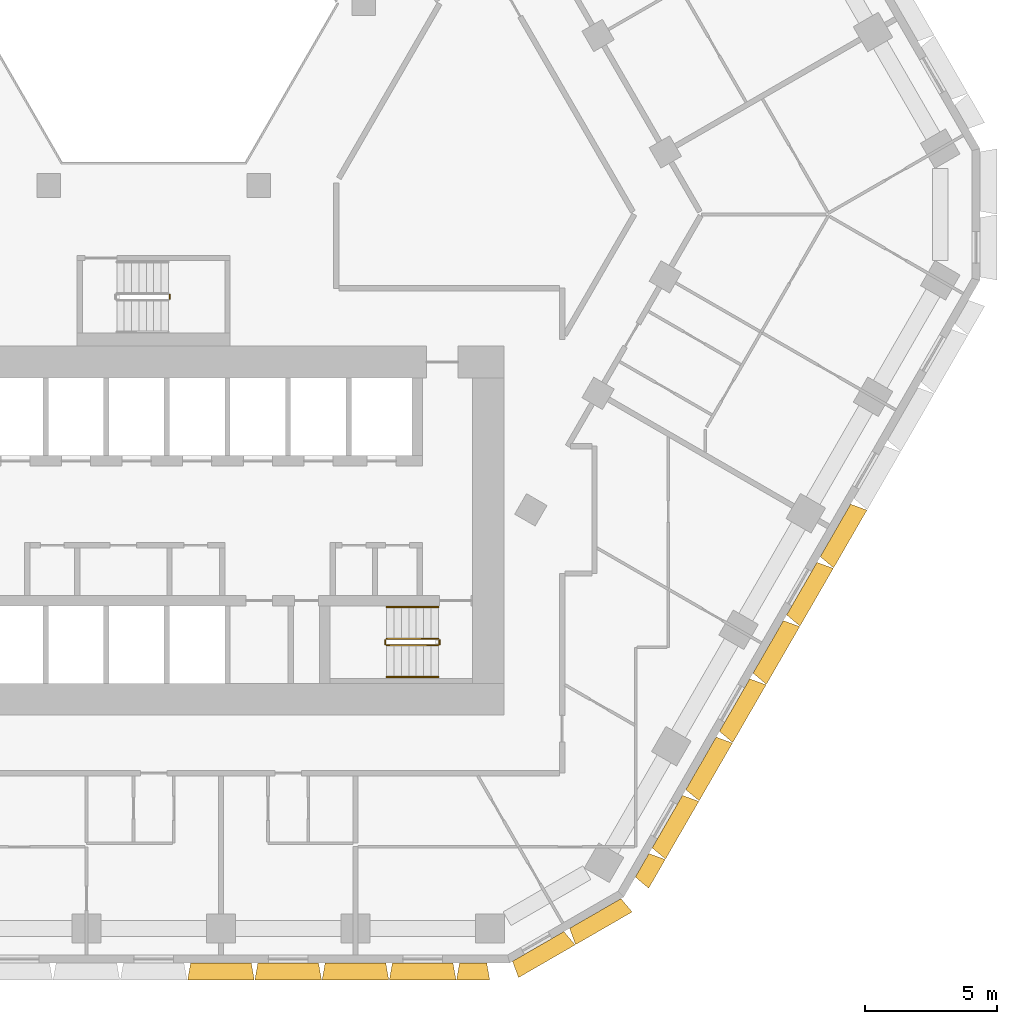
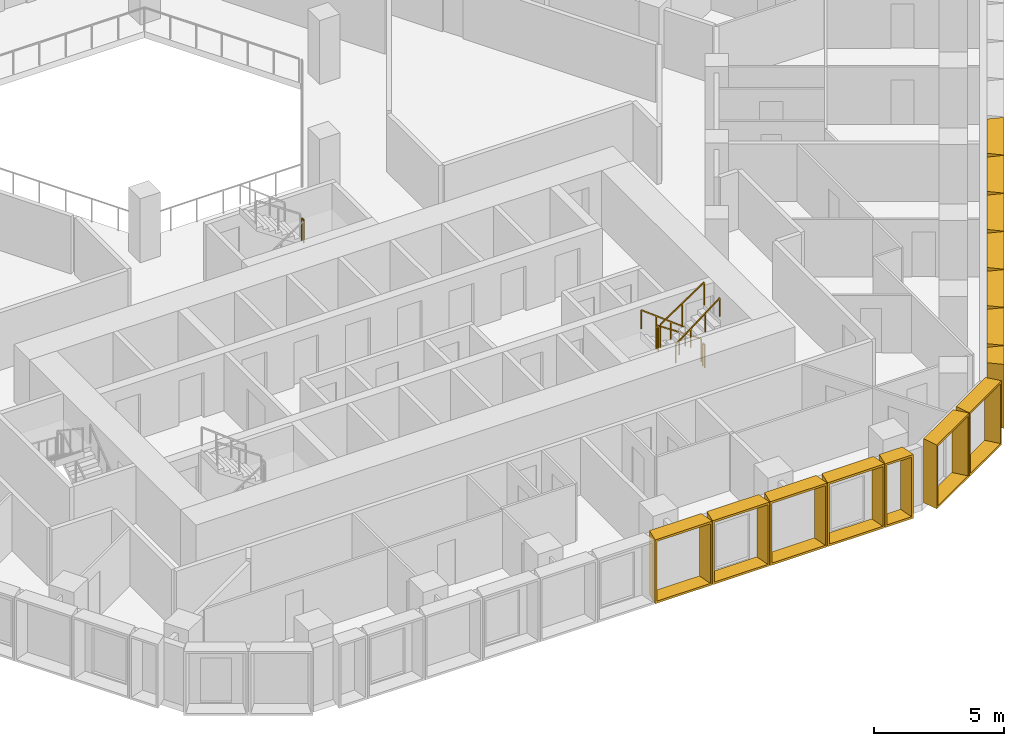
# One storey, part 15 of 16: 14 shading devices, 7 railings.
"""IFC4 building model written with IfcOpenShell, lengths in metres."""

import ifcopenshell
import ifcopenshell.guid

model = None  # the IFC model being written
_history = None  # IfcOwnerHistory: only IFC2X3 demands one
_inside = {}  # id of a spatial element -> (the spatial element, [elements in it])
_under = {}  # id of a project, library or spatial element -> (it, [spatial elements below it])
_declared = {}  # id of a project -> (the project, [libraries it declares])
_typed = {}  # id of a type object -> (the type object, [elements of that type])
_made_of = {}  # id of a material, layer set ... -> (it, [elements and type objects made of it])


def new_model(schema):
    """Start an empty IFC model of exactly this schema.

    Asked for "IFC4X3", IfcOpenShell would pick the latest addendum, in which some entities
    have other attributes; the version numbers below select the first issue.
    IFC2X3 requires an IfcOwnerHistory on every rooted entity: one is made here for all.
    """
    global model, _history
    if schema == "IFC4X3":
        model = ifcopenshell.file(schema_version=(4, 3, 0, 0))
    else:
        model = ifcopenshell.file(schema=schema)
    _inside.clear()
    _under.clear()
    _declared.clear()
    _typed.clear()
    _made_of.clear()
    _history = None
    if model.schema == "IFC2X3":
        org = make("IfcOrganization", Name="unknown")
        user = make(
            "IfcPersonAndOrganization",
            ThePerson=make("IfcPerson", FamilyName="unknown"),
            TheOrganization=org,
        )
        app = make(
            "IfcApplication",
            ApplicationDeveloper=org,
            Version="unknown",
            ApplicationFullName="unknown",
            ApplicationIdentifier="unknown",
        )
        _history = make(
            "IfcOwnerHistory",
            OwningUser=user,
            OwningApplication=app,
            ChangeAction="ADDED",
            CreationDate=0,
        )
    return model


def make(cls, **values):
    """One entity of the class cls with the attributes given. An attribute that is None is left unset."""
    return model.create_entity(
        cls, **{name: value for name, value in values.items() if value is not None}
    )


def entity(cls, *values):
    """Any entity or typed value of the class cls, its attributes in the order of the schema. None: left unset."""
    e = model.create_entity(cls)
    for i, value in enumerate(values):
        if value is not None:
            e[i] = value
    return e


def rooted(cls, **values):
    """An entity with a GlobalId (a new one), such as an element, a storey or a relation."""
    return make(cls, GlobalId=ifcopenshell.guid.new(), OwnerHistory=_history, **values)


def si_unit(unit_type, name, prefix=None):
    """IfcSIUnit, for example si_unit("LENGTHUNIT", "METRE", prefix="MILLI")."""
    return make("IfcSIUnit", UnitType=unit_type, Prefix=prefix, Name=name)


def assignment(units):
    """IfcUnitAssignment: the units of a project."""
    return None if units is None else make("IfcUnitAssignment", Units=units)


def point(xyz):
    """IfcCartesianPoint."""
    return None if xyz is None else make("IfcCartesianPoint", Coordinates=xyz)


def direction(xyz):
    """IfcDirection."""
    return None if xyz is None else make("IfcDirection", DirectionRatios=xyz)


def frame(location, z_axis=None, x_axis=None):
    """IfcAxis2Placement3D, a coordinate frame: its origin and axes. An axis left out is left unset."""
    return make(
        "IfcAxis2Placement3D",
        Location=point(location),
        Axis=direction(z_axis),
        RefDirection=direction(x_axis),
    )


def frame_2d(location, x_axis=None):
    """IfcAxis2Placement2D, a coordinate frame in the plane: its origin and x axis."""
    return make(
        "IfcAxis2Placement2D", Location=point(location), RefDirection=direction(x_axis)
    )


def origin():
    """The frame at (0, 0, 0) with its axes left unset."""
    return frame((0.0, 0.0, 0.0))


def origin_2d():
    """The frame at (0, 0) in the plane with its x axis left unset."""
    return frame_2d((0.0, 0.0))


def place(relative_to, where):
    """IfcLocalPlacement: puts the frame where relative to a parent placement (None: the world)."""
    return make(
        "IfcLocalPlacement", PlacementRelTo=relative_to, RelativePlacement=where
    )


def context(
    kind, dimensions, precision=None, world=None, true_north=None, identifier=None
):
    """IfcGeometricRepresentationContext, for example the 3D "Model" context."""
    return make(
        "IfcGeometricRepresentationContext",
        ContextIdentifier=identifier,
        ContextType=kind,
        CoordinateSpaceDimension=dimensions,
        Precision=precision,
        WorldCoordinateSystem=world,
        TrueNorth=true_north,
    )


def subcontext(parent, identifier, kind, view, scale=None):
    """IfcGeometricRepresentationSubContext, for example "Body" below "Model"."""
    return make(
        "IfcGeometricRepresentationSubContext",
        ContextIdentifier=identifier,
        ContextType=kind,
        ParentContext=parent,
        TargetScale=scale,
        TargetView=view,
    )


def project(units=None, contexts=None):
    """IfcProject with its units and contexts."""
    return rooted(
        "IfcProject",
        Name="project",
        RepresentationContexts=contexts,
        UnitsInContext=assignment(units),
    )


def spatial(cls, under=None, at=None, **own):
    """A site, building, storey or space (cls), placed at a placement, below another one or the project."""
    s = rooted(cls, ObjectPlacement=at, **own)
    if under is not None:
        _under.setdefault(under.id(), (under, []))[1].append(s)
    return s


def profile(cls, at=None, kind="AREA", **sizes):
    """A parametric profile (cls). Its sizes go by their IFC names, for example OverallWidth=200.0."""
    return make(cls, ProfileType=kind, Position=at, **sizes)


def rectangle(**sizes):
    """IfcRectangleProfileDef."""
    return profile("IfcRectangleProfileDef", **sizes)


def extrude(swept, where, along, depth):
    """IfcExtrudedAreaSolid: the profile swept, set in the frame where, extruded along a direction by depth."""
    return make(
        "IfcExtrudedAreaSolid",
        SweptArea=swept,
        Position=where,
        ExtrudedDirection=direction(along),
        Depth=depth,
    )


def shape(context_of_items, identifier, shape_type, items):
    """IfcShapeRepresentation: the items that make up one representation, for example the "Body"."""
    return make(
        "IfcShapeRepresentation",
        ContextOfItems=context_of_items,
        RepresentationIdentifier=identifier,
        RepresentationType=shape_type,
        Items=items,
    )


def source(mapping_origin, context_of_items, identifier, shape_type, items):
    """IfcRepresentationMap: a shape defined once, which mapped items show again and again."""
    return make(
        "IfcRepresentationMap",
        MappingOrigin=mapping_origin,
        MappedRepresentation=shape(context_of_items, identifier, shape_type, items),
    )


def transform(
    local_origin,
    x_axis=None,
    y_axis=None,
    z_axis=None,
    scale=None,
    scale2=None,
    scale3=None,
    uniform=True,
):
    """IfcCartesianTransformationOperator3D, or its non-uniform kind. x_axis, y_axis, z_axis: its Axis1, 2, 3."""
    if uniform:
        return make(
            "IfcCartesianTransformationOperator3D",
            Axis1=direction(x_axis),
            Axis2=direction(y_axis),
            LocalOrigin=point(local_origin),
            Scale=scale,
            Axis3=direction(z_axis),
        )
    return make(
        "IfcCartesianTransformationOperator3DnonUniform",
        Axis1=direction(x_axis),
        Axis2=direction(y_axis),
        LocalOrigin=point(local_origin),
        Scale=scale,
        Axis3=direction(z_axis),
        Scale2=scale2,
        Scale3=scale3,
    )


def mapped(mapping_source, mapping_target):
    """IfcMappedItem: shows the shape of a source again, moved by a transform."""
    return make(
        "IfcMappedItem", MappingSource=mapping_source, MappingTarget=mapping_target
    )


def material(Name=None, Category=None):
    """IfcMaterial."""
    return make("IfcMaterial", Name=Name, Category=Category)


def made_of(thing, what):
    """Note that an element or type object is made of a material, layer set ...; save() writes the relation."""
    if what is not None:
        _made_of.setdefault(what.id(), (what, []))[1].append(thing)
    return thing


def type_object(cls, material=None, **own):
    """A type object (cls), such as IfcWallType, which elements share."""
    return made_of(rooted(cls, **own), material)


def type_shapes(of_type, sources):
    """Give a type object the sources (RepresentationMaps) that its elements show as mapped items."""
    of_type.RepresentationMaps = sources


def element(
    cls,
    number,
    at=None,
    inside=None,
    cuts=None,
    type_object=None,
    material=None,
    context=None,
    identifier="Body",
    shape_type=None,
    held_by="IfcProductDefinitionShape",
    body=None,
    shapes=None,
    **own,
):
    """One element of the class cls, such as IfcWall. Its Tag is "e" and its number.

    at: its placement. inside: the storey or other place that contains it. cuts: it is an
    opening in that element (IfcRelVoidsElement). A single representation is given by context,
    identifier, shape_type and body (its items); several are given by shapes. held_by: the class
    of the entity that holds the representations. save() writes the other relations.
    """
    e = rooted(cls, Tag="e%d" % number, ObjectPlacement=at, **own)
    if body is not None:
        shapes = [shape(context, identifier, shape_type, body)]
    if shapes is not None:
        e.Representation = make(held_by, Representations=shapes)
    if inside is not None:
        _inside.setdefault(inside.id(), (inside, []))[1].append(e)
    if cuts is not None:
        rooted(
            "IfcRelVoidsElement", RelatingBuildingElement=cuts, RelatedOpeningElement=e
        )
    if type_object is not None:
        _typed.setdefault(type_object.id(), (type_object, []))[1].append(e)
    return made_of(e, material)


def aggregate(whole, parts):
    """IfcRelAggregates: a whole, such as a stair, and the parts it consists of."""
    return rooted("IfcRelAggregates", RelatingObject=whole, RelatedObjects=parts)


def save(model, path):
    """Write the relations noted so far, then the file.

    IfcRelAggregates (storeys below a building ...), IfcRelContainedInSpatialStructure (elements
    in a storey), IfcRelDefinesByType, IfcRelAssociatesMaterial and IfcRelDeclares: one each for
    every whole, place, type object, material and project.
    """
    for whole, parts in _under.values():
        aggregate(whole, parts)
    for where, things in _inside.values():
        rooted(
            "IfcRelContainedInSpatialStructure",
            RelatedElements=things,
            RelatingStructure=where,
        )
    for kind, things in _typed.values():
        rooted("IfcRelDefinesByType", RelatedObjects=things, RelatingType=kind)
    for what, things in _made_of.values():
        rooted("IfcRelAssociatesMaterial", RelatedObjects=things, RelatingMaterial=what)
    for by, libraries in _declared.values():
        rooted("IfcRelDeclares", RelatingContext=by, RelatedDefinitions=libraries)
    model.write(path)


model = new_model("IFC4")

# Units and contexts
model_context = context("Model", 3, precision=1e-05, world=origin(), true_north=direction((0.0, 1.0)))
body_context = subcontext(model_context, "Body", "Model", "MODEL_VIEW")
ifc_project = project(units=[si_unit("LENGTHUNIT", "METRE"), si_unit("AREAUNIT", "SQUARE_METRE"), si_unit("VOLUMEUNIT", "CUBIC_METRE"), si_unit("PLANEANGLEUNIT", "RADIAN"), si_unit("MASSUNIT", "GRAM", prefix="KILO")], contexts=[model_context])

# Site, building, storey
site_placement = place(None, origin())
site = spatial("IfcSite", under=ifc_project, at=site_placement, CompositionType="ELEMENT")
building_placement = place(site_placement, origin())
building = spatial("IfcBuilding", under=site, at=building_placement, Name="Beryl Residences", CompositionType="ELEMENT")
storey_placement = place(building_placement, frame((0.0, 0.0, 32.39990234375)))
storey = spatial("IfcBuildingStorey", under=building, at=storey_placement, Name="L09", CompositionType="ELEMENT", Elevation=32.39990234375)

# Shading devices
ifc_material_1 = material(Name="Aluminium pale anodised", Category="aluminium")
shading_device_type_1 = type_object("IfcShadingDeviceType", Name="FR128-65A OUTER SKIN frame 650 mm deep, splay 10/10 deg, 1280 x 3000 mm cell", PredefinedType="USERDEFINED", material=ifc_material_1)
cartesian_point_1 = entity("IfcCartesianPoint", [-0.514892578125, 0.0])
cartesian_point_2 = entity("IfcCartesianPoint", [-0.433837890625, 0.10009765625])
cartesian_point_3 = entity("IfcCartesianPoint", [-0.629638671875, 0.0])
cartesian_point_4 = entity("IfcCartesianPoint", [-0.54833984375, 0.10009765625])
shared_shape_1 = source(origin(), body_context, "Body", "SweptSolid", [
    entity("IfcExtrudedAreaSolidTapered", entity("IfcArbitraryProfileDefWithVoids", "AREA", None, entity("IfcPolyline", [cartesian_point_1, entity("IfcCartesianPoint", [0.514892578125, 0.0]), entity("IfcCartesianPoint", [0.514892578125, 3.0]), entity("IfcCartesianPoint", [-0.514892578125, 3.0]), cartesian_point_1]), [entity("IfcPolyline", [cartesian_point_2, entity("IfcCartesianPoint", [0.433837890625, 0.10009765625]), entity("IfcCartesianPoint", [0.433837890625, 2.89990234375]), entity("IfcCartesianPoint", [-0.433837890625, 2.89990234375]), cartesian_point_2])]), entity("IfcAxis2Placement3D", entity("IfcCartesianPoint", [0.0, 0.0, 0.0]), entity("IfcDirection", [0.0, 1.0, 0.0]), entity("IfcDirection", [-1.0, 0.0, 0.0])), entity("IfcDirection", [0.0, 0.0, 1.0]), 0.64990234375, entity("IfcArbitraryProfileDefWithVoids", "AREA", None, entity("IfcPolyline", [cartesian_point_3, entity("IfcCartesianPoint", [0.629638671875, 0.0]), entity("IfcCartesianPoint", [0.629638671875, 3.0]), entity("IfcCartesianPoint", [-0.629638671875, 3.0]), cartesian_point_3]), [entity("IfcPolyline", [cartesian_point_4, entity("IfcCartesianPoint", [0.54833984375, 0.10009765625]), entity("IfcCartesianPoint", [0.54833984375, 2.89990234375]), entity("IfcCartesianPoint", [-0.54833984375, 2.89990234375]), cartesian_point_4])])),
])
type_shapes(shading_device_type_1, [shared_shape_1])
for number, where, z_axis, x_axis, name in (
    (1, (12.123046875, -28.39990234375, 0.0), (0.0, 0.0, 1.0), (-1.0, 0.0, 0.0), "FR128-65A frame L09 S 11"),
    (2, (18.534912109375, -24.697021484375, 0.0), (0.0, 0.0, 1.0), (-0.5, -0.866025403784, 0.0), "FR128-65A frame L09 SE 1"),
):
    element("IfcShadingDevice", number, at=place(storey_placement, frame(where, z_axis=z_axis, x_axis=x_axis)), inside=storey, type_object=shading_device_type_1, Name=name, ObjectType="OUTER SKIN", PredefinedType="USERDEFINED", context=body_context, shape_type="MappedRepresentation", body=[
        mapped(shared_shape_1, transform((0.0, 0.0, 0.0))),
    ])
ifc_material_2 = material(Name="Aluminium pale anodised", Category="aluminium")
shading_device_type_2 = type_object("IfcShadingDeviceType", Name="FR250-65A OUTER SKIN frame 650 mm deep, splay 10/10 deg, 2500 x 3000 mm cell", PredefinedType="USERDEFINED", material=ifc_material_2)
cartesian_point_5 = entity("IfcCartesianPoint", [-1.125, 0.0])
cartesian_point_6 = entity("IfcCartesianPoint", [-1.043701171875, 0.10009765625])
cartesian_point_7 = entity("IfcCartesianPoint", [-1.239501953125, 0.0])
cartesian_point_8 = entity("IfcCartesianPoint", [-1.158447265625, 0.10009765625])
shared_shape_2 = source(origin(), body_context, "Body", "SweptSolid", [
    entity("IfcExtrudedAreaSolidTapered", entity("IfcArbitraryProfileDefWithVoids", "AREA", None, entity("IfcPolyline", [cartesian_point_5, entity("IfcCartesianPoint", [1.125, 0.0]), entity("IfcCartesianPoint", [1.125, 3.0]), entity("IfcCartesianPoint", [-1.125, 3.0]), cartesian_point_5]), [entity("IfcPolyline", [cartesian_point_6, entity("IfcCartesianPoint", [1.043701171875, 0.10009765625]), entity("IfcCartesianPoint", [1.043701171875, 2.89990234375]), entity("IfcCartesianPoint", [-1.043701171875, 2.89990234375]), cartesian_point_6])]), entity("IfcAxis2Placement3D", entity("IfcCartesianPoint", [0.0, 0.0, 0.0]), entity("IfcDirection", [0.0, 1.0, 0.0]), entity("IfcDirection", [-1.0, 0.0, 0.0])), entity("IfcDirection", [0.0, 0.0, 1.0]), 0.64990234375, entity("IfcArbitraryProfileDefWithVoids", "AREA", None, entity("IfcPolyline", [cartesian_point_7, entity("IfcCartesianPoint", [1.239501953125, 0.0]), entity("IfcCartesianPoint", [1.239501953125, 3.0]), entity("IfcCartesianPoint", [-1.239501953125, 3.0]), cartesian_point_7]), [entity("IfcPolyline", [cartesian_point_8, entity("IfcCartesianPoint", [1.158447265625, 0.10009765625]), entity("IfcCartesianPoint", [1.158447265625, 2.89990234375]), entity("IfcCartesianPoint", [-1.158447265625, 2.89990234375]), cartesian_point_8])])),
])
type_shapes(shading_device_type_2, [shared_shape_2])
for number, where, z_axis, x_axis, name in (
    (3, (14.593017578125, -27.77490234375, 0.0), (0.0, 0.0, 1.0), (-0.866025403784, -0.5, 0.0), "FR250-65A frame L09 S-SE 1"),
    (4, (16.758056640625, -26.52490234375, 0.0), (0.0, 0.0, 1.0), (-0.866025403784, -0.5, 0.0), "FR250-65A frame L09 S-SE 2"),
):
    element("IfcShadingDevice", number, at=place(storey_placement, frame(where, z_axis=z_axis, x_axis=x_axis)), inside=storey, type_object=shading_device_type_2, Name=name, ObjectType="OUTER SKIN", PredefinedType="USERDEFINED", context=body_context, shape_type="MappedRepresentation", body=[
        mapped(shared_shape_2, transform((0.0, 0.0, 0.0))),
    ])
ifc_material_3 = material(Name="Aluminium pale anodised", Category="aluminium")
shading_device_type_3 = type_object("IfcShadingDeviceType", Name="FR255-65A OUTER SKIN frame 650 mm deep, splay 10/10 deg, 2550 x 3000 mm cell", PredefinedType="USERDEFINED", material=ifc_material_3)
cartesian_point_9 = entity("IfcCartesianPoint", [-1.14990234375, 0.0])
cartesian_point_10 = entity("IfcCartesianPoint", [-1.06884765625, 0.10009765625])
cartesian_point_11 = entity("IfcCartesianPoint", [-1.2646484375, 0.0])
cartesian_point_12 = entity("IfcCartesianPoint", [-1.183349609375, 0.10009765625])
shared_shape_3 = source(origin(), body_context, "Body", "SweptSolid", [
    entity("IfcExtrudedAreaSolidTapered", entity("IfcArbitraryProfileDefWithVoids", "AREA", None, entity("IfcPolyline", [cartesian_point_9, entity("IfcCartesianPoint", [1.14990234375, 0.0]), entity("IfcCartesianPoint", [1.14990234375, 3.0]), entity("IfcCartesianPoint", [-1.14990234375, 3.0]), cartesian_point_9]), [entity("IfcPolyline", [cartesian_point_10, entity("IfcCartesianPoint", [1.06884765625, 0.10009765625]), entity("IfcCartesianPoint", [1.06884765625, 2.89990234375]), entity("IfcCartesianPoint", [-1.06884765625, 2.89990234375]), cartesian_point_10])]), entity("IfcAxis2Placement3D", entity("IfcCartesianPoint", [0.0, 0.0, 0.0]), entity("IfcDirection", [0.0, 1.0, 0.0]), entity("IfcDirection", [-1.0, 0.0, 0.0])), entity("IfcDirection", [0.0, 0.0, 1.0]), 0.64990234375, entity("IfcArbitraryProfileDefWithVoids", "AREA", None, entity("IfcPolyline", [cartesian_point_11, entity("IfcCartesianPoint", [1.2646484375, 0.0]), entity("IfcCartesianPoint", [1.2646484375, 3.0]), entity("IfcCartesianPoint", [-1.2646484375, 3.0]), cartesian_point_11]), [entity("IfcPolyline", [cartesian_point_12, entity("IfcCartesianPoint", [1.183349609375, 0.10009765625]), entity("IfcCartesianPoint", [1.183349609375, 2.89990234375]), entity("IfcCartesianPoint", [-1.183349609375, 2.89990234375]), cartesian_point_12])])),
])
type_shapes(shading_device_type_3, [shared_shape_3])
for number, where, z_axis, x_axis, name in (
    (5, (2.552978515625, -28.39990234375, 0.0), (0.0, 0.0, 1.0), (-1.0, 0.0, 0.0), "FR255-65A frame L09 S 7"),
    (6, (5.10498046875, -28.39990234375, 0.0), (0.0, 0.0, 1.0), (-1.0, 0.0, 0.0), "FR255-65A frame L09 S 8"),
    (7, (7.656982421875, -28.39990234375, 0.0), (0.0, 0.0, 1.0), (-1.0, 0.0, 0.0), "FR255-65A frame L09 S 9"),
    (8, (10.208984375, -28.39990234375, 0.0), (0.0, 0.0, 1.0), (-1.0, 0.0, 0.0), "FR255-65A frame L09 S 10"),
    (9, (19.491943359375, -23.0400390625, 0.0), (0.0, 0.0, 1.0), (-0.5, -0.866025403784, 0.0), "FR255-65A frame L09 SE 2"),
    (10, (20.76806640625, -20.830078125, 0.0), (0.0, 0.0, 1.0), (-0.5, -0.866025403784, 0.0), "FR255-65A frame L09 SE 3"),
    (11, (22.0439453125, -18.618896484375, 0.0), (0.0, 0.0, 1.0), (-0.5, -0.866025403784, 0.0), "FR255-65A frame L09 SE 4"),
    (12, (23.320068359375, -16.408935546875, 0.0), (0.0, 0.0, 1.0), (-0.5, -0.866025403784, 0.0), "FR255-65A frame L09 SE 5"),
    (13, (24.594970703125, -14.198974609375, 0.0), (0.0, 0.0, 1.0), (-0.5, -0.866025403784, 0.0), "FR255-65A frame L09 SE 6"),
    (14, (25.87109375, -11.989013671875, 0.0), (0.0, 0.0, 1.0), (-0.5, -0.866025403784, 0.0), "FR255-65A frame L09 SE 7"),
):
    element("IfcShadingDevice", number, at=place(storey_placement, frame(where, z_axis=z_axis, x_axis=x_axis)), inside=storey, type_object=shading_device_type_3, Name=name, ObjectType="OUTER SKIN", PredefinedType="USERDEFINED", context=body_context, shape_type="MappedRepresentation", body=[
        mapped(shared_shape_3, transform((0.0, 0.0, 0.0))),
    ])

# Railings
ifc_material_4 = material(Name="Stainless steel balustrade with glass infill", Category="steel")
railing_type_1 = type_object("IfcRailingType", Name="SG1 stair guard 1100 mm", PredefinedType="GUARDRAIL", material=ifc_material_4)
railing_1_placement = place(storey_placement, frame((10.800048828125, -16.10009765625, 0.1875)))
element("IfcRailing", 15, at=railing_1_placement, inside=storey, type_object=railing_type_1, Name="L09 ST-3 stair guard 1", PredefinedType="GUARDRAIL", context=body_context, shape_type="SweptSolid", body=[
    extrude(rectangle(XDim=0.048095703125, YDim=0.048095703125, at=origin_2d()), frame((0.0, 0.0, 1.076171875), z_axis=(-0.830902050051, 0.0, 0.556418712142), x_axis=(0.0, -1.0, 0.0)), (0.0, 0.0, 1.0), 2.35888671875),
    extrude(rectangle(XDim=0.0419921875, YDim=0.0419921875, at=origin_2d()), origin(), (0.0, 0.0, 1.0), 1.052001953125),
    extrude(rectangle(XDim=0.0419921875, YDim=0.0419921875, at=origin_2d()), frame((-0.97998046875, 0.0, 0.65625)), (0.0, 0.0, 1.0), 1.052001953125),
    extrude(rectangle(XDim=0.0419921875, YDim=0.0419921875, at=origin_2d()), frame((-1.9599609375, 0.0, 1.3125)), (0.0, 0.0, 1.0), 1.052001953125),
])
railing_2_placement = place(storey_placement, frame((8.7900390625, -16.14990234375, 1.5)))
element("IfcRailing", 16, at=railing_2_placement, inside=storey, type_object=railing_type_1, Name="L09 ST-3 stair guard 2", PredefinedType="GUARDRAIL", context=body_context, shape_type="SweptSolid", body=[
    extrude(rectangle(XDim=0.048095703125, YDim=0.048095703125, at=origin_2d()), frame((0.0, 0.0, 1.076171875), z_axis=(0.0, -1.0, 0.0), x_axis=(1.0, 0.0, 0.0)), (0.0, 0.0, 1.0), 0.150146484375),
    extrude(rectangle(XDim=0.0419921875, YDim=0.0419921875, at=origin_2d()), origin(), (0.0, 0.0, 1.0), 1.052001953125),
    extrude(rectangle(XDim=0.0419921875, YDim=0.0419921875, at=origin_2d()), frame((0.0, -0.150146484375, 0.0)), (0.0, 0.0, 1.0), 1.052001953125),
])
railing_3_placement = place(storey_placement, frame((8.840087890625, -16.35009765625, 1.6875)))
element("IfcRailing", 17, at=railing_3_placement, inside=storey, type_object=railing_type_1, Name="L09 ST-3 stair guard 3", PredefinedType="GUARDRAIL", context=body_context, shape_type="SweptSolid", body=[
    extrude(rectangle(XDim=0.048095703125, YDim=0.048095703125, at=origin_2d()), frame((0.0, 0.0, 1.076171875), z_axis=(0.830902050051, 0.0, 0.556418712142), x_axis=(0.0, 1.0, 0.0)), (0.0, 0.0, 1.0), 2.35888671875),
    extrude(rectangle(XDim=0.0419921875, YDim=0.0419921875, at=origin_2d()), origin(), (0.0, 0.0, 1.0), 1.052001953125),
    extrude(rectangle(XDim=0.0419921875, YDim=0.0419921875, at=origin_2d()), frame((0.97998046875, 0.0, 0.65625)), (0.0, 0.0, 1.0), 1.052001953125),
    extrude(rectangle(XDim=0.0419921875, YDim=0.0419921875, at=origin_2d()), frame((1.9599609375, 0.0, 1.3125)), (0.0, 0.0, 1.0), 1.052001953125),
])
railing_4_placement = place(storey_placement, frame((10.85009765625, -16.14990234375, 0.0)))
element("IfcRailing", 18, at=railing_4_placement, inside=storey, type_object=railing_type_1, Name="L09 ST-3 stair guard 4", PredefinedType="GUARDRAIL", context=body_context, shape_type="SweptSolid", body=[
    extrude(rectangle(XDim=0.048095703125, YDim=0.048095703125, at=origin_2d()), frame((0.0, 0.0, 1.076171875), z_axis=(0.0, -1.0, 0.0), x_axis=(1.0, 0.0, 0.0)), (0.0, 0.0, 1.0), 0.150146484375),
    extrude(rectangle(XDim=0.0419921875, YDim=0.0419921875, at=origin_2d()), origin(), (0.0, 0.0, 1.0), 1.052001953125),
    extrude(rectangle(XDim=0.0419921875, YDim=0.0419921875, at=origin_2d()), frame((0.0, -0.150146484375, 0.0)), (0.0, 0.0, 1.0), 1.052001953125),
])
railing_5_placement = place(storey_placement, frame((0.610107421875, -3.199951171875, 1.5)))
element("IfcRailing", 19, at=railing_5_placement, inside=storey, type_object=railing_type_1, Name="L09 ST-4 stair guard 2", PredefinedType="GUARDRAIL", context=body_context, shape_type="SweptSolid", body=[
    extrude(rectangle(XDim=0.048095703125, YDim=0.048095703125, at=origin_2d()), frame((0.0, 0.0, 1.076171875), z_axis=(0.0, 1.0, 0.0), x_axis=(-1.0, 0.0, 0.0)), (0.0, 0.0, 1.0), 0.14990234375),
    extrude(rectangle(XDim=0.0419921875, YDim=0.0419921875, at=origin_2d()), origin(), (0.0, 0.0, 1.0), 1.052001953125),
    extrude(rectangle(XDim=0.0419921875, YDim=0.0419921875, at=origin_2d()), frame((0.0, 0.14990234375, 0.0)), (0.0, 0.0, 1.0), 1.052001953125),
])
ifc_material_5 = material(Name="Stainless steel handrail", Category="steel")
railing_type_2 = type_object("IfcRailingType", Name="SRL1 stair handrail 900 mm", PredefinedType="HANDRAIL", material=ifc_material_5)
railing_6_placement = place(storey_placement, frame((10.800048828125, -14.89990234375, 0.1875)))
element("IfcRailing", 20, at=railing_6_placement, inside=storey, type_object=railing_type_2, Name="L09 ST-3 stair handrail 1", PredefinedType="HANDRAIL", context=body_context, shape_type="SweptSolid", body=[
    extrude(rectangle(XDim=0.048095703125, YDim=0.048095703125, at=origin_2d()), frame((0.0, 0.0, 0.8759765625), z_axis=(-0.794121922505, 0.0, 0.607758481798), x_axis=(0.0, -1.0, 0.0)), (0.0, 0.0, 1.0), 2.468017578125),
    extrude(rectangle(XDim=0.0419921875, YDim=0.0419921875, at=origin_2d()), origin(), (0.0, 0.0, 1.0), 0.851806640625),
    extrude(rectangle(XDim=0.0419921875, YDim=0.0419921875, at=origin_2d()), frame((-0.6533203125, 0.0, 0.5)), (0.0, 0.0, 1.0), 0.851806640625),
    extrude(rectangle(XDim=0.0419921875, YDim=0.0419921875, at=origin_2d()), frame((-1.306640625, 0.0, 1.0)), (0.0, 0.0, 1.0), 0.851806640625),
    extrude(rectangle(XDim=0.0419921875, YDim=0.0419921875, at=origin_2d()), frame((-1.9599609375, 0.0, 1.5)), (0.0, 0.0, 1.0), 0.851806640625),
])
railing_7_placement = place(storey_placement, frame((8.840087890625, -17.550048828125, 1.6875)))
element("IfcRailing", 21, at=railing_7_placement, inside=storey, type_object=railing_type_2, Name="L09 ST-3 stair handrail 2", PredefinedType="HANDRAIL", context=body_context, shape_type="SweptSolid", body=[
    extrude(rectangle(XDim=0.048095703125, YDim=0.048095703125, at=origin_2d()), frame((0.0, 0.0, 0.8759765625), z_axis=(0.794121922505, 0.0, 0.607758481798), x_axis=(0.0, 1.0, 0.0)), (0.0, 0.0, 1.0), 2.468017578125),
    extrude(rectangle(XDim=0.0419921875, YDim=0.0419921875, at=origin_2d()), origin(), (0.0, 0.0, 1.0), 0.851806640625),
    extrude(rectangle(XDim=0.0419921875, YDim=0.0419921875, at=origin_2d()), frame((0.6533203125, 0.0, 0.5)), (0.0, 0.0, 1.0), 0.851806640625),
    extrude(rectangle(XDim=0.0419921875, YDim=0.0419921875, at=origin_2d()), frame((1.306640625, 0.0, 1.0)), (0.0, 0.0, 1.0), 0.851806640625),
    extrude(rectangle(XDim=0.0419921875, YDim=0.0419921875, at=origin_2d()), frame((1.9599609375, 0.0, 1.5)), (0.0, 0.0, 1.0), 0.851806640625),
])

save(model, "model.ifc")
